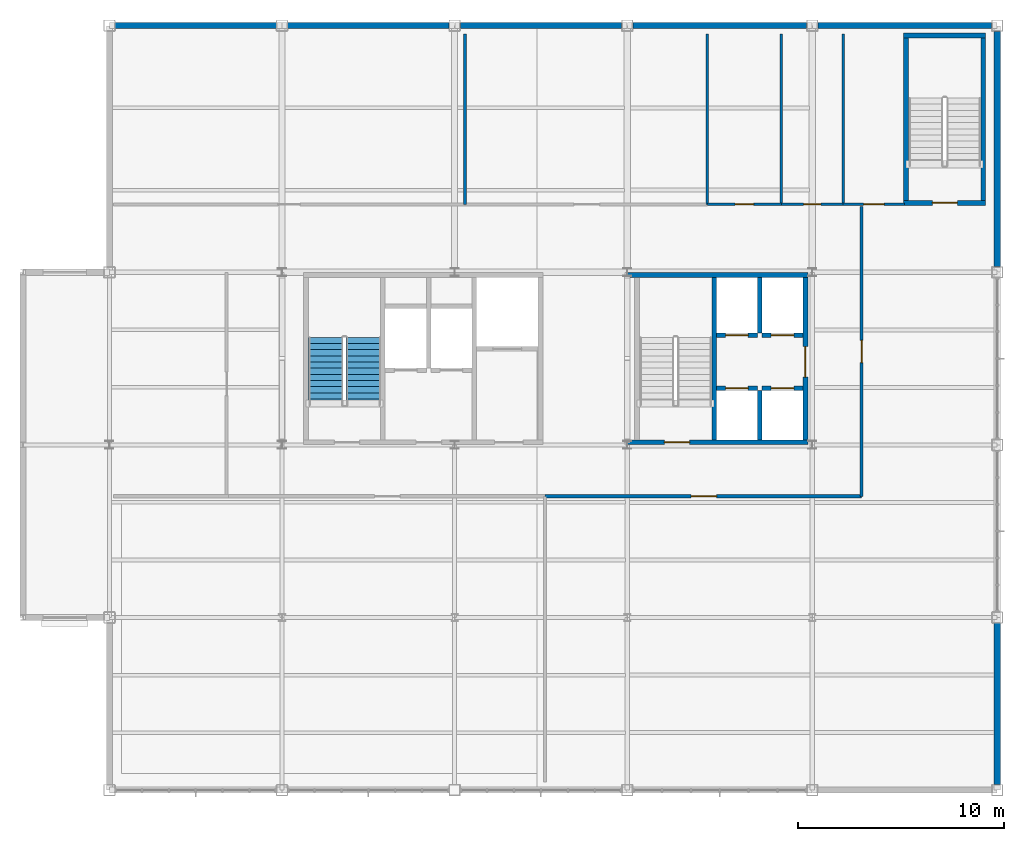
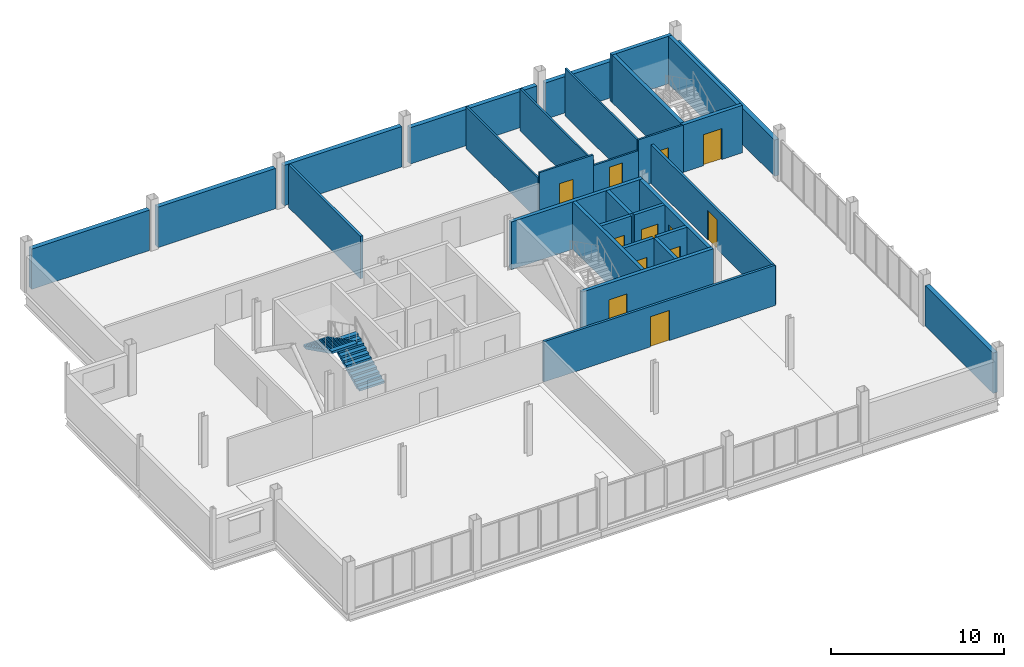
# One storey, part 15 of 18: 30 walls, 12 doors, 2 stair flights, 12 openings, 1 element without a shape of its own.
"""IFC4 building model written with IfcOpenShell, lengths in metres."""

from ifc_helpers import new_model, si_unit, direction, frame, frame_2d, origin, place, context, subcontext, project, spatial, polyline, rectangle, outline, extrude, material, layer, layer_set, type_object, element, fill, aggregate, save


model = new_model("IFC4")

# Units and contexts
model_context = context("Model", 3, precision=1e-05, world=origin(), true_north=direction((0.0, 1.0)))
body_context = subcontext(model_context, "Body", "Model", "MODEL_VIEW")
ifc_project = project(units=[si_unit("LENGTHUNIT", "METRE"), si_unit("AREAUNIT", "SQUARE_METRE"), si_unit("VOLUMEUNIT", "CUBIC_METRE"), si_unit("PLANEANGLEUNIT", "RADIAN"), si_unit("MASSUNIT", "GRAM", prefix="KILO")], contexts=[model_context])

# Site, building, storey
site_placement = place(None, origin())
site = spatial("IfcSite", under=ifc_project, at=site_placement, CompositionType="ELEMENT")
building_placement = place(site_placement, origin())
building = spatial("IfcBuilding", under=site, at=building_placement, Name="Yukiwa Park Conservatory and Herbarium", CompositionType="ELEMENT")
storey_placement = place(building_placement, frame((0.0, 0.0, 24.60009765625)))
storey = spatial("IfcBuildingStorey", under=building, at=storey_placement, Name="L06", CompositionType="ELEMENT", Elevation=24.60009765625)

# Walls
ifc_material_1 = material(Name="Concrete C40", Category="concrete")
ifc_layer_1 = layer(ifc_material_1, 0.219970703125)
ifc_layer_set_1 = layer_set([ifc_layer_1], Name="Concrete C40")
wall_type_1 = type_object("IfcWallType", Name="WL-CORE-RC220", PredefinedType="SHEAR", material=ifc_layer_set_1)
wall_1_placement = place(storey_placement, frame((154.219970703125, 95.050048828125, 0.0), z_axis=(0.0, 0.0, 1.0), x_axis=(0.0, 1.0, 0.0)))
element("IfcWall", 1, at=wall_1_placement, inside=storey, type_object=wall_type_1, Name="L06 core shear wall 443", PredefinedType="SHEAR", context=body_context, shape_type="SweptSolid", body=[
    extrude(rectangle(XDim=7.89990234375, YDim=0.219970703125, at=frame_2d((3.949951171875, 0.0))), origin(), (0.0, 0.0, 1.0), 3.344970703125),
])
wall_2_placement = place(storey_placement, frame((156.43994140625, 100.25, 0.0), z_axis=(0.0, 0.0, 1.0), x_axis=(0.0, 1.0, 0.0)))
element("IfcWall", 2, at=wall_2_placement, inside=storey, type_object=wall_type_1, Name="L06 core shear wall 445", PredefinedType="SHEAR", context=body_context, shape_type="SweptSolid", body=[
    extrude(rectangle(XDim=2.699951171875, YDim=0.219970703125, at=frame_2d((1.35009765625, 0.0))), origin(), (0.0, 0.0, 1.0), 3.344970703125),
])

# Wall, opening, door
wall_3_placement = place(storey_placement, frame((154.330078125, 100.139892578125, 0.0), z_axis=(0.0, 0.0, 1.0), x_axis=(1.0, 0.0, 0.0)))
wall_3 = element("IfcWall", 3, at=wall_3_placement, inside=storey, type_object=wall_type_1, Name="L06 core shear wall 446", PredefinedType="SHEAR", context=body_context, shape_type="SweptSolid", body=[
    extrude(rectangle(XDim=2.0, YDim=0.219970703125, at=frame_2d((1.0, 0.0))), origin(), (0.0, 0.0, 1.0), 3.344970703125),
])
opening_1_placement = place(wall_3_placement, frame((0.449951171875, 0.0, 0.0)))
opening_1 = element("IfcOpeningElement", 4, at=opening_1_placement, cuts=wall_3, Name="Opening LD-01", PredefinedType="OPENING", context=body_context, shape_type="SweptSolid", body=[
    extrude(rectangle(XDim=1.10009765625, YDim=2.14990234375, at=frame_2d((0.550048828125, 1.074951171875))), frame((0.0, 0.1201171875, 0.0), z_axis=(0.0, -1.0, 0.0), x_axis=(1.0, 0.0, 0.0)), (0.0, 0.0, 1.0), 0.239990234375),
])
ifc_material_2 = material(Name="Steel Q235B", Category="steel")
door_type_1 = type_object("IfcDoorType", Name="DR-LIFT-LD1100", OperationType="SLIDING_TO_LEFT", PredefinedType="DOOR", material=ifc_material_2)
door_1_placement = place(opening_1_placement, origin())
door_1 = element("IfcDoor", 5, at=door_1_placement, inside=storey, type_object=door_type_1, Name="L06 Passenger Lift LP1 sliding landing door", OperationType="SLIDING_TO_LEFT", OverallHeight=2.14990234375, OverallWidth=1.10009765625, PredefinedType="DOOR", context=body_context, shape_type="SweptSolid", body=[
    extrude(rectangle(XDim=1.10009765625, YDim=2.14990234375, at=frame_2d((0.550048828125, 1.074951171875))), frame((0.0, 0.02490234375, 0.0), z_axis=(0.0, -1.0, 0.0), x_axis=(1.0, 0.0, 0.0)), (0.0, 0.0, 1.0), 0.050048828125),
])
fill(opening_1, door_1)

wall_4_placement = place(storey_placement, frame((156.550048828125, 100.139892578125, 0.0), z_axis=(0.0, 0.0, 1.0), x_axis=(1.0, 0.0, 0.0)))
wall_4 = element("IfcWall", 6, at=wall_4_placement, inside=storey, type_object=wall_type_1, Name="L06 core shear wall 447", PredefinedType="SHEAR", context=body_context, shape_type="SweptSolid", body=[
    extrude(rectangle(XDim=2.0, YDim=0.219970703125, at=frame_2d((1.0, 0.0))), origin(), (0.0, 0.0, 1.0), 3.344970703125),
])
opening_2_placement = place(wall_4_placement, frame((0.449951171875, 0.0, 0.0)))
opening_2 = element("IfcOpeningElement", 7, at=opening_2_placement, cuts=wall_4, Name="Opening LD-01", PredefinedType="OPENING", context=body_context, shape_type="SweptSolid", body=[
    extrude(rectangle(XDim=1.10009765625, YDim=2.14990234375, at=frame_2d((0.550048828125, 1.074951171875))), frame((0.0, 0.1201171875, 0.0), z_axis=(0.0, -1.0, 0.0), x_axis=(1.0, 0.0, 0.0)), (0.0, 0.0, 1.0), 0.239990234375),
])
door_2_placement = place(opening_2_placement, origin())
door_2 = element("IfcDoor", 8, at=door_2_placement, inside=storey, type_object=door_type_1, Name="L06 Passenger Lift LP2 sliding landing door", OperationType="SLIDING_TO_LEFT", OverallHeight=2.14990234375, OverallWidth=1.10009765625, PredefinedType="DOOR", context=body_context, shape_type="SweptSolid", body=[
    extrude(rectangle(XDim=1.10009765625, YDim=2.14990234375, at=frame_2d((0.550048828125, 1.074951171875))), frame((0.0, 0.02490234375, 0.0), z_axis=(0.0, -1.0, 0.0), x_axis=(1.0, 0.0, 0.0)), (0.0, 0.0, 1.0), 0.050048828125),
])
fill(opening_2, door_2)

# Wall
wall_5_placement = place(storey_placement, frame((156.43994140625, 95.050048828125, 0.0), z_axis=(0.0, 0.0, 1.0), x_axis=(0.0, 1.0, 0.0)))
element("IfcWall", 9, at=wall_5_placement, inside=storey, type_object=wall_type_1, Name="L06 core shear wall 448", PredefinedType="SHEAR", context=body_context, shape_type="SweptSolid", body=[
    extrude(rectangle(XDim=2.39990234375, YDim=0.219970703125, at=frame_2d((1.199951171875, 0.0))), origin(), (0.0, 0.0, 1.0), 3.344970703125),
])

# Wall, opening, door
wall_6_placement = place(storey_placement, frame((154.330078125, 97.56005859375, 0.0), z_axis=(0.0, 0.0, 1.0), x_axis=(1.0, 0.0, 0.0)))
wall_6 = element("IfcWall", 10, at=wall_6_placement, inside=storey, type_object=wall_type_1, Name="L06 core shear wall 449", PredefinedType="SHEAR", context=body_context, shape_type="SweptSolid", body=[
    extrude(rectangle(XDim=2.0, YDim=0.219970703125, at=frame_2d((1.0, 0.0))), origin(), (0.0, 0.0, 1.0), 3.344970703125),
])
opening_3_placement = place(wall_6_placement, frame((0.449951171875, 0.0, 0.0)))
opening_3 = element("IfcOpeningElement", 11, at=opening_3_placement, cuts=wall_6, Name="Opening LD-01", PredefinedType="OPENING", context=body_context, shape_type="SweptSolid", body=[
    extrude(rectangle(XDim=1.10009765625, YDim=2.14990234375, at=frame_2d((0.550048828125, 1.074951171875))), frame((0.0, 0.1201171875, 0.0), z_axis=(0.0, -1.0, 0.0), x_axis=(1.0, 0.0, 0.0)), (0.0, 0.0, 1.0), 0.239990234375),
])
door_3_placement = place(opening_3_placement, origin())
door_3 = element("IfcDoor", 12, at=door_3_placement, inside=storey, type_object=door_type_1, Name="L06 Passenger Lift LP3 sliding landing door", OperationType="SLIDING_TO_LEFT", OverallHeight=2.14990234375, OverallWidth=1.10009765625, PredefinedType="DOOR", context=body_context, shape_type="SweptSolid", body=[
    extrude(rectangle(XDim=1.10009765625, YDim=2.14990234375, at=frame_2d((0.550048828125, 1.074951171875))), frame((0.0, 0.02490234375, 0.0), z_axis=(0.0, -1.0, 0.0), x_axis=(1.0, 0.0, 0.0)), (0.0, 0.0, 1.0), 0.050048828125),
])
fill(opening_3, door_3)

wall_7_placement = place(storey_placement, frame((156.550048828125, 97.56005859375, 0.0), z_axis=(0.0, 0.0, 1.0), x_axis=(1.0, 0.0, 0.0)))
wall_7 = element("IfcWall", 13, at=wall_7_placement, inside=storey, type_object=wall_type_1, Name="L06 core shear wall 450", PredefinedType="SHEAR", context=body_context, shape_type="SweptSolid", body=[
    extrude(rectangle(XDim=2.0, YDim=0.219970703125, at=frame_2d((1.0, 0.0))), origin(), (0.0, 0.0, 1.0), 3.344970703125),
])
opening_4_placement = place(wall_7_placement, frame((0.449951171875, 0.0, 0.0)))
opening_4 = element("IfcOpeningElement", 14, at=opening_4_placement, cuts=wall_7, Name="Opening LD-01", PredefinedType="OPENING", context=body_context, shape_type="SweptSolid", body=[
    extrude(rectangle(XDim=1.10009765625, YDim=2.14990234375, at=frame_2d((0.550048828125, 1.074951171875))), frame((0.0, 0.1201171875, 0.0), z_axis=(0.0, -1.0, 0.0), x_axis=(1.0, 0.0, 0.0)), (0.0, 0.0, 1.0), 0.239990234375),
])
door_4_placement = place(opening_4_placement, origin())
door_4 = element("IfcDoor", 15, at=door_4_placement, inside=storey, type_object=door_type_1, Name="L06 Passenger Lift LP4 sliding landing door", OperationType="SLIDING_TO_LEFT", OverallHeight=2.14990234375, OverallWidth=1.10009765625, PredefinedType="DOOR", context=body_context, shape_type="SweptSolid", body=[
    extrude(rectangle(XDim=1.10009765625, YDim=2.14990234375, at=frame_2d((0.550048828125, 1.074951171875))), frame((0.0, 0.02490234375, 0.0), z_axis=(0.0, -1.0, 0.0), x_axis=(1.0, 0.0, 0.0)), (0.0, 0.0, 1.0), 0.050048828125),
])
fill(opening_4, door_4)

ifc_material_3 = material(Name="Concrete C50", Category="concrete")
ifc_layer_2 = layer(ifc_material_3, 0.239990234375)
ifc_layer_set_2 = layer_set([ifc_layer_2], Name="Concrete C50")
wall_type_2 = type_object("IfcWallType", Name="WL-CORE-RC240", PredefinedType="SHEAR", material=ifc_layer_set_2)
wall_8_placement = place(storey_placement, frame((150.02001953125, 94.929931640625, 0.0), z_axis=(0.0, 0.0, 1.0), x_axis=(1.0, 0.0, 0.0)))
wall_8 = element("IfcWall", 16, at=wall_8_placement, inside=storey, type_object=wall_type_2, Name="L06 core shear wall 440", PredefinedType="SHEAR", context=body_context, shape_type="SweptSolid", body=[
    extrude(rectangle(XDim=8.77001953125, YDim=0.239990234375, at=frame_2d((4.385009765625, 0.0))), origin(), (0.0, 0.0, 1.0), 3.344970703125),
])
opening_5_placement = place(wall_8_placement, frame((1.7900390625, 0.0, 0.0)))
opening_5 = element("IfcOpeningElement", 17, at=opening_5_placement, cuts=wall_8, Name="Opening SD-01", PredefinedType="OPENING", context=body_context, shape_type="SweptSolid", body=[
    extrude(rectangle(XDim=1.219970703125, YDim=2.179931640625, at=frame_2d((0.60986328125, 1.08984375))), frame((0.0, 0.1298828125, 0.0), z_axis=(0.0, -1.0, 0.0), x_axis=(1.0, 0.0, 0.0)), (0.0, 0.0, 1.0), 0.260009765625),
])
ifc_material_4 = material(Name="Steel Q235B", Category="steel")
door_type_2 = type_object("IfcDoorType", Name="DR-STAIR-FD90-1200", OperationType="SINGLE_SWING_LEFT", PredefinedType="DOOR", material=ifc_material_4)
door_5_placement = place(opening_5_placement, origin())
door_5 = element("IfcDoor", 18, at=door_5_placement, inside=storey, type_object=door_type_2, Name="L06 Stairwell ST-T2 fire door", OperationType="SINGLE_SWING_LEFT", OverallHeight=2.179931640625, OverallWidth=1.219970703125, PredefinedType="DOOR", context=body_context, shape_type="SweptSolid", body=[
    extrude(rectangle(XDim=1.219970703125, YDim=2.179931640625, at=frame_2d((0.60986328125, 1.08984375))), frame((0.0, 0.02490234375, 0.0), z_axis=(0.0, -1.0, 0.0), x_axis=(1.0, 0.0, 0.0)), (0.0, 0.0, 1.0), 0.050048828125),
])
fill(opening_5, door_5)

# Wall
wall_9_placement = place(storey_placement, frame((150.02001953125, 103.070068359375, 0.0), z_axis=(0.0, 0.0, 1.0), x_axis=(1.0, 0.0, 0.0)))
element("IfcWall", 19, at=wall_9_placement, inside=storey, type_object=wall_type_2, Name="L06 core shear wall 441", PredefinedType="SHEAR", context=body_context, shape_type="SweptSolid", body=[
    extrude(rectangle(XDim=8.77001953125, YDim=0.239990234375, at=frame_2d((4.385009765625, 0.0))), origin(), (0.0, 0.0, 1.0), 3.344970703125),
])

# Wall, opening, door
wall_10_placement = place(storey_placement, frame((158.669921875, 95.050048828125, 0.0), z_axis=(0.0, 0.0, 1.0), x_axis=(0.0, 1.0, 0.0)))
wall_10 = element("IfcWall", 20, at=wall_10_placement, inside=storey, type_object=wall_type_2, Name="L06 core shear wall 444", PredefinedType="SHEAR", context=body_context, shape_type="SweptSolid", body=[
    extrude(rectangle(XDim=7.89990234375, YDim=0.239990234375, at=frame_2d((3.949951171875, 0.0))), origin(), (0.0, 0.0, 1.0), 3.344970703125),
])
opening_6_placement = place(wall_10_placement, frame((3.050048828125, 0.0, 0.0)))
opening_6 = element("IfcOpeningElement", 21, at=opening_6_placement, cuts=wall_10, Name="Opening FD-07", PredefinedType="OPENING", context=body_context, shape_type="SweptSolid", body=[
    extrude(rectangle(XDim=1.47998046875, YDim=2.219970703125, at=frame_2d((0.739990234375, 1.10986328125))), frame((0.0, 0.1298828125, 0.0), z_axis=(0.0, -1.0, 0.0), x_axis=(1.0, 0.0, 0.0)), (0.0, 0.0, 1.0), 0.260009765625),
])
ifc_material_5 = material(Name="Steel Q235B", Category="steel")
door_type_3 = type_object("IfcDoorType", Name="DR-FIRE-FD60-1500", OperationType="DOUBLE_DOOR_SINGLE_SWING", PredefinedType="DOOR", material=ifc_material_5)
door_6_placement = place(opening_6_placement, origin())
door_6 = element("IfcDoor", 22, at=door_6_placement, inside=storey, type_object=door_type_3, Name="L06 Tower Passenger Lift Lobby double fire door", OperationType="DOUBLE_DOOR_SINGLE_SWING", OverallHeight=2.219970703125, OverallWidth=1.47998046875, PredefinedType="DOOR", context=body_context, shape_type="SweptSolid", body=[
    extrude(rectangle(XDim=1.47998046875, YDim=2.219970703125, at=frame_2d((0.739990234375, 1.10986328125))), frame((0.0, 0.02490234375, 0.0), z_axis=(0.0, -1.0, 0.0), x_axis=(1.0, 0.0, 0.0)), (0.0, 0.0, 1.0), 0.050048828125),
])
fill(opening_6, door_6)

wall_11_placement = place(storey_placement, frame((163.449951171875, 106.580078125, 0.0), z_axis=(0.0, 0.0, 1.0), x_axis=(1.0, 0.0, 0.0)))
wall_11 = element("IfcWall", 23, at=wall_11_placement, inside=storey, type_object=wall_type_2, Name="L06 core shear wall 451", PredefinedType="SHEAR", context=body_context, shape_type="SweptSolid", body=[
    extrude(rectangle(XDim=3.989990234375, YDim=0.239990234375, at=frame_2d((1.9951171875, 0.0))), origin(), (0.0, 0.0, 1.0), 3.344970703125),
])
opening_7_placement = place(wall_11_placement, frame((1.39501953125, 0.0, 0.0)))
opening_7 = element("IfcOpeningElement", 24, at=opening_7_placement, cuts=wall_11, Name="Opening SD-01", PredefinedType="OPENING", context=body_context, shape_type="SweptSolid", body=[
    extrude(rectangle(XDim=1.219970703125, YDim=2.179931640625, at=frame_2d((0.60986328125, 1.08984375))), frame((0.0, 0.1298828125, 0.0), z_axis=(0.0, -1.0, 0.0), x_axis=(1.0, 0.0, 0.0)), (0.0, 0.0, 1.0), 0.260009765625),
])
door_7_placement = place(opening_7_placement, origin())
door_7 = element("IfcDoor", 25, at=door_7_placement, inside=storey, type_object=door_type_2, Name="L06 Stairwell ST-T3 fire door", OperationType="SINGLE_SWING_LEFT", OverallHeight=2.179931640625, OverallWidth=1.219970703125, PredefinedType="DOOR", context=body_context, shape_type="SweptSolid", body=[
    extrude(rectangle(XDim=1.219970703125, YDim=2.179931640625, at=frame_2d((0.60986328125, 1.08984375))), frame((0.0, 0.02490234375, 0.0), z_axis=(0.0, -1.0, 0.0), x_axis=(1.0, 0.0, 0.0)), (0.0, 0.0, 1.0), 0.050048828125),
])
fill(opening_7, door_7)

# Walls
wall_12_placement = place(storey_placement, frame((163.449951171875, 114.719970703125, 0.0), z_axis=(0.0, 0.0, 1.0), x_axis=(1.0, 0.0, 0.0)))
element("IfcWall", 26, at=wall_12_placement, inside=storey, type_object=wall_type_2, Name="L06 core shear wall 452", PredefinedType="SHEAR", context=body_context, shape_type="SweptSolid", body=[
    extrude(rectangle(XDim=3.989990234375, YDim=0.239990234375, at=frame_2d((1.9951171875, 0.0))), origin(), (0.0, 0.0, 1.0), 3.344970703125),
])
for number, where, z_axis, x_axis, name in (
    (27, (163.570068359375, 106.699951171875, 0.0), (0.0, 0.0, 1.0), (0.0, 1.0, 0.0), "L06 core shear wall 453"),
    (28, (167.320068359375, 106.699951171875, 0.0), (0.0, 0.0, 1.0), (0.0, 1.0, 0.0), "L06 core shear wall 454"),
):
    element("IfcWall", number, at=place(storey_placement, frame(where, z_axis=z_axis, x_axis=x_axis)), inside=storey, type_object=wall_type_2, Name=name, PredefinedType="SHEAR", context=body_context, shape_type="SweptSolid", body=[
        extrude(rectangle(XDim=7.900146484375, YDim=0.239990234375, at=frame_2d((3.9501953125, 0.0))), origin(), (0.0, 0.0, 1.0), 3.344970703125),
    ])
ifc_material_6 = material(Name="Pale Granite Cladding", Category="masonry")
ifc_layer_3 = layer(ifc_material_6, 0.300048828125)
ifc_layer_set_3 = layer_set([ifc_layer_3], Name="Pale Granite Cladding")
wall_type_3 = type_object("IfcWallType", Name="WL-EXT-GRAN-300", PredefinedType="SOLIDWALL", material=ifc_layer_set_3)
wall_13_placement = place(storey_placement, frame((168.0, 78.27490234375, 0.0), z_axis=(0.0, 0.0, 1.0), x_axis=(0.0, 1.0, 0.0)))
element("IfcWall", 29, at=wall_13_placement, inside=storey, type_object=wall_type_3, Name="L06 exterior envelope wall 292", PredefinedType="SOLIDWALL", context=body_context, shape_type="SweptSolid", body=[
    extrude(rectangle(XDim=7.85009765625, YDim=0.300048828125, at=frame_2d((3.925048828125, 0.0))), origin(), (0.0, 0.0, 1.0), 2.844970703125),
])
wall_14_placement = place(storey_placement, frame((168.0, 103.47509765625, 0.0), z_axis=(0.0, 0.0, 1.0), x_axis=(0.0, 1.0, 0.0)))
element("IfcWall", 30, at=wall_14_placement, inside=storey, type_object=wall_type_3, Name="L06 exterior envelope wall 293", PredefinedType="SOLIDWALL", context=body_context, shape_type="SweptSolid", body=[
    extrude(rectangle(XDim=11.449951171875, YDim=0.300048828125, at=frame_2d((5.72509765625, 0.0))), origin(), (0.0, 0.0, 1.0), 2.552978515625),
])
for number, where, z_axis, x_axis, name in (
    (31, (167.72509765625, 115.199951171875, 0.0), (0.0, 0.0, 1.0), (-1.0, 0.0, 0.0), "L06 exterior envelope wall 294"),
    (32, (158.72509765625, 115.199951171875, 0.0), (0.0, 0.0, 1.0), (-1.0, 0.0, 0.0), "L06 exterior envelope wall 295"),
):
    element("IfcWall", number, at=place(storey_placement, frame(where, z_axis=z_axis, x_axis=x_axis)), inside=storey, type_object=wall_type_3, Name=name, PredefinedType="SOLIDWALL", context=body_context, shape_type="SweptSolid", body=[
        extrude(rectangle(XDim=8.4501953125, YDim=0.300048828125, at=frame_2d((4.22509765625, 0.0))), origin(), (0.0, 0.0, 1.0), 2.552978515625),
    ])
wall_15_placement = place(storey_placement, frame((149.72509765625, 115.199951171875, 0.0), z_axis=(0.0, 0.0, 1.0), x_axis=(-1.0, 0.0, 0.0)))
element("IfcWall", 33, at=wall_15_placement, inside=storey, type_object=wall_type_3, Name="L06 exterior envelope wall 296", PredefinedType="SOLIDWALL", context=body_context, shape_type="SweptSolid", body=[
    extrude(rectangle(XDim=7.85009765625, YDim=0.300048828125, at=frame_2d((3.925048828125, 0.0))), origin(), (0.0, 0.0, 1.0), 2.844970703125),
])
wall_16_placement = place(storey_placement, frame((141.324951171875, 115.199951171875, 0.0), z_axis=(0.0, 0.0, 1.0), x_axis=(-1.0, 0.0, 0.0)))
element("IfcWall", 34, at=wall_16_placement, inside=storey, type_object=wall_type_3, Name="L06 exterior envelope wall 297", PredefinedType="SOLIDWALL", context=body_context, shape_type="SweptSolid", body=[
    extrude(rectangle(XDim=7.849853515625, YDim=0.300048828125, at=frame_2d((3.9248046875, 0.0))), origin(), (0.0, 0.0, 1.0), 2.844970703125),
])
wall_17_placement = place(storey_placement, frame((132.925048828125, 115.199951171875, 0.0), z_axis=(0.0, 0.0, 1.0), x_axis=(-1.0, 0.0, 0.0)))
element("IfcWall", 35, at=wall_17_placement, inside=storey, type_object=wall_type_3, Name="L06 exterior envelope wall 298", PredefinedType="SOLIDWALL", context=body_context, shape_type="SweptSolid", body=[
    extrude(rectangle(XDim=7.85009765625, YDim=0.300048828125, at=frame_2d((3.925048828125, 0.0))), origin(), (0.0, 0.0, 1.0), 2.844970703125),
])

# Wall, opening, door
ifc_material_7 = material(Name="Gypsum Board Partition", Category="gypsum")
ifc_layer_4 = layer(ifc_material_7, 0.159912109375)
ifc_layer_set_4 = layer_set([ifc_layer_4], Name="Gypsum Board Partition")
wall_type_4 = type_object("IfcWallType", Name="WL-PART-GYP-160", PredefinedType="PARTITIONING", material=ifc_layer_set_4)
wall_18_placement = place(storey_placement, frame((161.39990234375, 92.300048828125, 0.0), z_axis=(0.0, 0.0, 1.0), x_axis=(0.0, 1.0, 0.0)))
wall_18 = element("IfcWall", 36, at=wall_18_placement, inside=storey, type_object=wall_type_4, Name="L06 interior partition wall 461", PredefinedType="PARTITIONING", context=body_context, shape_type="SweptSolid", body=[
    extrude(rectangle(XDim=14.099853515625, YDim=0.159912109375, at=frame_2d((7.0498046875, 0.0))), origin(), (0.0, 0.0, 1.0), 2.744873046875),
])
opening_8_placement = place(wall_18_placement, frame((6.5, 0.0, 0.0)))
opening_8 = element("IfcOpeningElement", 37, at=opening_8_placement, cuts=wall_18, Name="Opening ID-11", PredefinedType="OPENING", context=body_context, shape_type="SweptSolid", body=[
    extrude(rectangle(XDim=1.080078125, YDim=2.080078125, at=frame_2d((0.5400390625, 1.0400390625))), frame((0.0, 0.08984375, 0.0), z_axis=(0.0, -1.0, 0.0), x_axis=(1.0, 0.0, 0.0)), (0.0, 0.0, 1.0), 0.179931640625),
])
ifc_material_8 = material(Name="Charred Larch Cladding", Category="wood")
door_type_4 = type_object("IfcDoorType", Name="DR-INT-1100", OperationType="SINGLE_SWING_RIGHT", PredefinedType="DOOR", material=ifc_material_8)
door_8_placement = place(opening_8_placement, origin())
door_8 = element("IfcDoor", 38, at=door_8_placement, inside=storey, type_object=door_type_4, Name="L06 L06 east room door", OperationType="SINGLE_SWING_RIGHT", OverallHeight=2.080078125, OverallWidth=1.080078125, PredefinedType="DOOR", context=body_context, shape_type="SweptSolid", body=[
    extrude(rectangle(XDim=1.080078125, YDim=2.080078125, at=frame_2d((0.5400390625, 1.0400390625))), frame((0.0, 0.02490234375, 0.0), z_axis=(0.0, -1.0, 0.0), x_axis=(1.0, 0.0, 0.0)), (0.0, 0.0, 1.0), 0.050048828125),
])
fill(opening_8, door_8)

wall_19_placement = place(storey_placement, frame((146.0, 92.300048828125, 0.0), z_axis=(0.0, 0.0, 1.0), x_axis=(1.0, 0.0, 0.0)))
wall_19 = element("IfcWall", 39, at=wall_19_placement, inside=storey, type_object=wall_type_4, Name="L06 interior partition wall 463", PredefinedType="PARTITIONING", context=body_context, shape_type="SweptSolid", body=[
    extrude(rectangle(XDim=15.39990234375, YDim=0.159912109375, at=frame_2d((7.699951171875, 0.0))), origin(), (0.0, 0.0, 1.0), 2.844970703125),
])
opening_9_placement = place(wall_19_placement, frame((7.10009765625, 0.0, 0.0)))
opening_9 = element("IfcOpeningElement", 40, at=opening_9_placement, cuts=wall_19, Name="Opening LD-12", PredefinedType="OPENING", context=body_context, shape_type="SweptSolid", body=[
    extrude(rectangle(XDim=1.25, YDim=2.1201171875, at=frame_2d((0.625, 1.06005859375))), frame((0.0, 0.08984375, 0.0), z_axis=(0.0, -1.0, 0.0), x_axis=(1.0, 0.0, 0.0)), (0.0, 0.0, 1.0), 0.179931640625),
])
ifc_material_9 = material(Name="Steel Q235B", Category="steel")
door_type_5 = type_object("IfcDoorType", Name="DR-LAB-1200", OperationType="SINGLE_SWING_LEFT", PredefinedType="DOOR", material=ifc_material_9)
door_9_placement = place(opening_9_placement, origin())
door_9 = element("IfcDoor", 41, at=door_9_placement, inside=storey, type_object=door_type_5, Name="L06 Cryobiology Research Laboratory door", OperationType="SINGLE_SWING_LEFT", OverallHeight=2.1201171875, OverallWidth=1.25, PredefinedType="DOOR", context=body_context, shape_type="SweptSolid", body=[
    extrude(rectangle(XDim=1.25, YDim=2.1201171875, at=frame_2d((0.625, 1.06005859375))), frame((0.0, 0.02490234375, 0.0), z_axis=(0.0, -1.0, 0.0), x_axis=(1.0, 0.0, 0.0)), (0.0, 0.0, 1.0), 0.050048828125),
])
fill(opening_9, door_9)

# Wall
wall_20_placement = place(storey_placement, frame((142.10009765625, 106.5, 0.0), z_axis=(0.0, 0.0, 1.0), x_axis=(0.0, 1.0, 0.0)))
element("IfcWall", 42, at=wall_20_placement, inside=storey, type_object=wall_type_4, Name="L06 interior partition wall 469", PredefinedType="PARTITIONING", context=body_context, shape_type="SweptSolid", body=[
    extrude(rectangle(XDim=8.300048828125, YDim=0.159912109375, at=frame_2d((4.14990234375, 0.0))), origin(), (0.0, 0.0, 1.0), 2.994873046875),
])

# Wall, opening, door
ifc_material_10 = material(Name="Gypsum Board Partition", Category="gypsum")
ifc_layer_5 = layer(ifc_material_10, 0.1201171875)
ifc_layer_set_5 = layer_set([ifc_layer_5], Name="Gypsum Board Partition")
wall_type_5 = type_object("IfcWallType", Name="WL-PART-WET-150", PredefinedType="PARTITIONING", material=ifc_layer_set_5)
wall_21_placement = place(storey_placement, frame((153.89990234375, 106.5, 0.0), z_axis=(0.0, 0.0, 1.0), x_axis=(1.0, 0.0, 0.0)))
wall_21 = element("IfcWall", 43, at=wall_21_placement, inside=storey, type_object=wall_type_5, Name="L06 interior partition wall 455", PredefinedType="PARTITIONING", context=body_context, shape_type="SweptSolid", body=[
    extrude(rectangle(XDim=3.60009765625, YDim=0.1201171875, at=frame_2d((1.800048828125, 0.0))), origin(), (0.0, 0.0, 1.0), 3.344970703125),
])
opening_10_placement = place(wall_21_placement, frame((1.35009765625, 0.0, 0.0)))
opening_10 = element("IfcOpeningElement", 44, at=opening_10_placement, cuts=wall_21, Name="Opening ID-09", PredefinedType="OPENING", context=body_context, shape_type="SweptSolid", body=[
    extrude(rectangle(XDim=0.89990234375, YDim=2.10009765625, at=frame_2d((0.449951171875, 1.050048828125))), frame((0.0, 0.070068359375, 0.0), z_axis=(0.0, -1.0, 0.0), x_axis=(1.0, 0.0, 0.0)), (0.0, 0.0, 1.0), 0.14013671875),
])
ifc_material_11 = material(Name="Charred Larch Cladding", Category="wood")
door_type_6 = type_object("IfcDoorType", Name="DR-INT-900", OperationType="SINGLE_SWING_LEFT", PredefinedType="DOOR", material=ifc_material_11)
door_10_placement = place(opening_10_placement, origin())
door_10 = element("IfcDoor", 45, at=door_10_placement, inside=storey, type_object=door_type_6, Name="L06 Public WC door", OperationType="SINGLE_SWING_LEFT", OverallHeight=2.10009765625, OverallWidth=0.89990234375, PredefinedType="DOOR", context=body_context, shape_type="SweptSolid", body=[
    extrude(rectangle(XDim=0.89990234375, YDim=2.10009765625, at=frame_2d((0.449951171875, 1.050048828125))), frame((0.0, 0.02490234375, 0.0), z_axis=(0.0, -1.0, 0.0), x_axis=(1.0, 0.0, 0.0)), (0.0, 0.0, 1.0), 0.050048828125),
])
fill(opening_10, door_10)

wall_22_placement = place(storey_placement, frame((157.5, 106.5, 0.0), z_axis=(0.0, 0.0, 1.0), x_axis=(1.0, 0.0, 0.0)))
wall_22 = element("IfcWall", 46, at=wall_22_placement, inside=storey, type_object=wall_type_5, Name="L06 interior partition wall 456", PredefinedType="PARTITIONING", context=body_context, shape_type="SweptSolid", body=[
    extrude(rectangle(XDim=3.0, YDim=0.1201171875, at=frame_2d((1.5, 0.0))), origin(), (0.0, 0.0, 1.0), 2.594970703125),
])
opening_11_placement = place(wall_22_placement, frame((1.074951171875, 0.0, 0.0)))
opening_11 = element("IfcOpeningElement", 47, at=opening_11_placement, cuts=wall_22, Name="Opening ID-85", PredefinedType="OPENING", context=body_context, shape_type="SweptSolid", body=[
    extrude(rectangle(XDim=0.85009765625, YDim=2.10009765625, at=frame_2d((0.425048828125, 1.050048828125))), frame((0.0, 0.070068359375, 0.0), z_axis=(0.0, -1.0, 0.0), x_axis=(1.0, 0.0, 0.0)), (0.0, 0.0, 1.0), 0.14013671875),
])
ifc_material_12 = material(Name="Charred Larch Cladding", Category="wood")
door_type_7 = type_object("IfcDoorType", Name="DR-INT-850", OperationType="SINGLE_SWING_RIGHT", PredefinedType="DOOR", material=ifc_material_12)
door_11_placement = place(opening_11_placement, origin())
door_11 = element("IfcDoor", 48, at=door_11_placement, inside=storey, type_object=door_type_7, Name="L06 Staff WC door", OperationType="SINGLE_SWING_RIGHT", OverallHeight=2.10009765625, OverallWidth=0.85009765625, PredefinedType="DOOR", context=body_context, shape_type="SweptSolid", body=[
    extrude(rectangle(XDim=0.85009765625, YDim=2.10009765625, at=frame_2d((0.425048828125, 1.050048828125))), frame((0.0, 0.02490234375, 0.0), z_axis=(0.0, -1.0, 0.0), x_axis=(1.0, 0.0, 0.0)), (0.0, 0.0, 1.0), 0.050048828125),
])
fill(opening_11, door_11)

wall_23_placement = place(storey_placement, frame((160.5, 106.5, 0.0), z_axis=(0.0, 0.0, 1.0), x_axis=(1.0, 0.0, 0.0)))
wall_23 = element("IfcWall", 49, at=wall_23_placement, inside=storey, type_object=wall_type_5, Name="L06 interior partition wall 457", PredefinedType="PARTITIONING", context=body_context, shape_type="SweptSolid", body=[
    extrude(rectangle(XDim=3.0, YDim=0.1201171875, at=frame_2d((1.5, 0.0))), origin(), (0.0, 0.0, 1.0), 3.344970703125),
])
opening_12_placement = place(wall_23_placement, frame((1.0, 0.0, 0.0)))
opening_12 = element("IfcOpeningElement", 50, at=opening_12_placement, cuts=wall_23, Name="Opening ID-10", PredefinedType="OPENING", context=body_context, shape_type="SweptSolid", body=[
    extrude(rectangle(XDim=1.0, YDim=2.10009765625, at=frame_2d((0.5, 1.050048828125))), frame((0.0, 0.070068359375, 0.0), z_axis=(0.0, -1.0, 0.0), x_axis=(1.0, 0.0, 0.0)), (0.0, 0.0, 1.0), 0.14013671875),
])
ifc_material_13 = material(Name="Charred Larch Cladding", Category="wood")
door_type_8 = type_object("IfcDoorType", Name="DR-ACC-1000", OperationType="SINGLE_SWING_LEFT", PredefinedType="DOOR", material=ifc_material_13)
door_12_placement = place(opening_12_placement, origin())
door_12 = element("IfcDoor", 51, at=door_12_placement, inside=storey, type_object=door_type_8, Name="L06 Accessible WC door", OperationType="SINGLE_SWING_LEFT", OverallHeight=2.10009765625, OverallWidth=1.0, PredefinedType="DOOR", context=body_context, shape_type="SweptSolid", body=[
    extrude(rectangle(XDim=1.0, YDim=2.10009765625, at=frame_2d((0.5, 1.050048828125))), frame((0.0, 0.02490234375, 0.0), z_axis=(0.0, -1.0, 0.0), x_axis=(1.0, 0.0, 0.0)), (0.0, 0.0, 1.0), 0.050048828125),
])
fill(opening_12, door_12)

# Walls
for number, where, z_axis, x_axis, name in (
    (52, (153.89990234375, 106.5, 0.0), (0.0, 0.0, 1.0), (0.0, 1.0, 0.0), "L06 interior partition wall 458"),
    (53, (157.5, 106.5, 0.0), (0.0, 0.0, 1.0), (0.0, 1.0, 0.0), "L06 interior partition wall 459"),
):
    element("IfcWall", number, at=place(storey_placement, frame(where, z_axis=z_axis, x_axis=x_axis)), inside=storey, type_object=wall_type_5, Name=name, PredefinedType="PARTITIONING", context=body_context, shape_type="SweptSolid", body=[
        extrude(rectangle(XDim=8.300048828125, YDim=0.1201171875, at=frame_2d((4.14990234375, 0.0))), origin(), (0.0, 0.0, 1.0), 2.94482421875),
    ])
wall_24_placement = place(storey_placement, frame((160.5, 106.5, 0.0), z_axis=(0.0, 0.0, 1.0), x_axis=(0.0, 1.0, 0.0)))
element("IfcWall", 54, at=wall_24_placement, inside=storey, type_object=wall_type_5, Name="L06 interior partition wall 460", PredefinedType="PARTITIONING", context=body_context, shape_type="SweptSolid", body=[
    extrude(rectangle(XDim=8.300048828125, YDim=0.1201171875, at=frame_2d((4.14990234375, 0.0))), origin(), (0.0, 0.0, 1.0), 3.344970703125),
])

# Stair, stair flights
ifc_material_14 = material(Name="Concrete C40", Category="concrete")
stair_type = type_object("IfcStairType", Name="ST-DOGLEG-ST-T1", PredefinedType="HALF_TURN_STAIR", material=ifc_material_14)
stair_placement = place(storey_placement, origin())
stair = element("IfcStair", 55, at=stair_placement, inside=storey, type_object=stair_type, Name="L06 Protected Smoke-Proof Stair ST-T1", PredefinedType="HALF_TURN_STAIR")
ifc_material_15 = material(Name="Concrete C40", Category="concrete")
stair_flight_type = type_object("IfcStairFlightType", Name="STF-RC-1680", PredefinedType="STRAIGHT", material=ifc_material_15)
stair_flight_1_placement = place(storey_placement, frame((137.159912109375, 96.72998046875, 0.0), z_axis=(0.0, 0.0, 1.0), x_axis=(0.0, 1.0, 0.0)))
stair_flight_1 = element("IfcStairFlight", 56, at=stair_flight_1_placement, type_object=stair_flight_type, Name="ST-T1 flight 1", NumberOfRisers=12, NumberOfTreads=11, PredefinedType="STRAIGHT", RiserHeight=0.15, TreadLength=0.3, context=body_context, shape_type="SweptSolid", body=[
    extrude(outline(polyline([(0.0, 0.0), (0.0, 0.14990234375), (0.300048828125, 0.14990234375), (0.300048828125, 0.300048828125), (0.60009765625, 0.300048828125), (0.60009765625, 0.449951171875), (0.89990234375, 0.449951171875), (0.89990234375, 0.60009765625), (1.199951171875, 0.60009765625), (1.199951171875, 0.75), (1.5, 0.75), (1.5, 0.89990234375), (1.800048828125, 0.89990234375), (1.800048828125, 1.050048828125), (2.10009765625, 1.050048828125), (2.10009765625, 1.199951171875), (2.39990234375, 1.199951171875), (2.39990234375, 1.35009765625), (2.699951171875, 1.35009765625), (2.699951171875, 1.5), (3.0, 1.5), (3.0, 1.64990234375), (3.300048828125, 1.64990234375), (3.300048828125, 1.800048828125), (3.300048828125, 1.482421875), (0.335205078125, 0.0), (0.0, 0.0)])), frame((0.0, 0.83984375, 0.0), z_axis=(0.0, -1.0, 0.0), x_axis=(1.0, 0.0, 0.0)), (0.0, 0.0, 1.0), 1.679931640625),
])
stair_flight_2_placement = place(storey_placement, frame((135.330078125, 100.030029296875, 1.7998046875), z_axis=(0.0, 0.0, 1.0), x_axis=(0.0, -1.0, 0.0)))
stair_flight_2 = element("IfcStairFlight", 57, at=stair_flight_2_placement, type_object=stair_flight_type, Name="ST-T1 flight 2", NumberOfRisers=12, NumberOfTreads=11, PredefinedType="STRAIGHT", RiserHeight=0.15, TreadLength=0.3, context=body_context, shape_type="SweptSolid", body=[
    extrude(outline(polyline([(0.0, 0.0), (0.0, 0.14990234375), (0.300048828125, 0.14990234375), (0.300048828125, 0.300048828125), (0.60009765625, 0.300048828125), (0.60009765625, 0.449951171875), (0.89990234375, 0.449951171875), (0.89990234375, 0.60009765625), (1.199951171875, 0.60009765625), (1.199951171875, 0.75), (1.5, 0.75), (1.5, 0.89990234375), (1.800048828125, 0.89990234375), (1.800048828125, 1.050048828125), (2.10009765625, 1.050048828125), (2.10009765625, 1.199951171875), (2.39990234375, 1.199951171875), (2.39990234375, 1.35009765625), (2.699951171875, 1.35009765625), (2.699951171875, 1.5), (3.0, 1.5), (3.0, 1.64990234375), (3.300048828125, 1.64990234375), (3.300048828125, 1.800048828125), (3.300048828125, 1.482421875), (0.335205078125, 0.0), (0.0, 0.0)])), frame((0.0, 0.83984375, 0.0), z_axis=(0.0, -1.0, 0.0), x_axis=(1.0, 0.0, 0.0)), (0.0, 0.0, 1.0), 1.679931640625),
])
aggregate(stair, [stair_flight_1, stair_flight_2])

save(model, "model.ifc")
